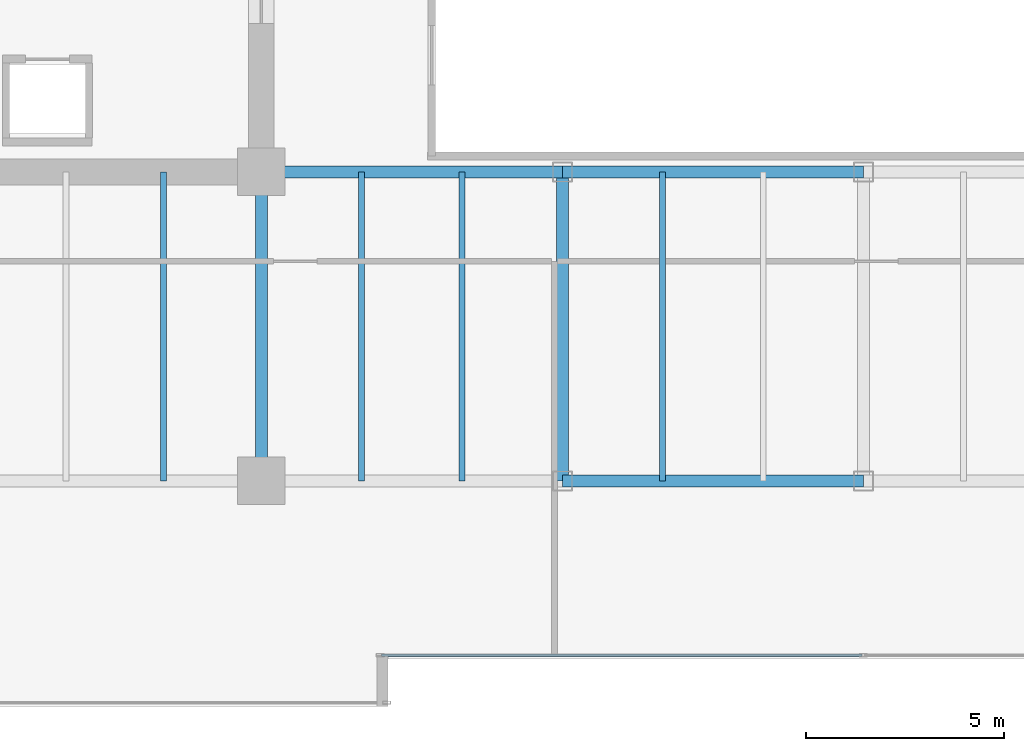
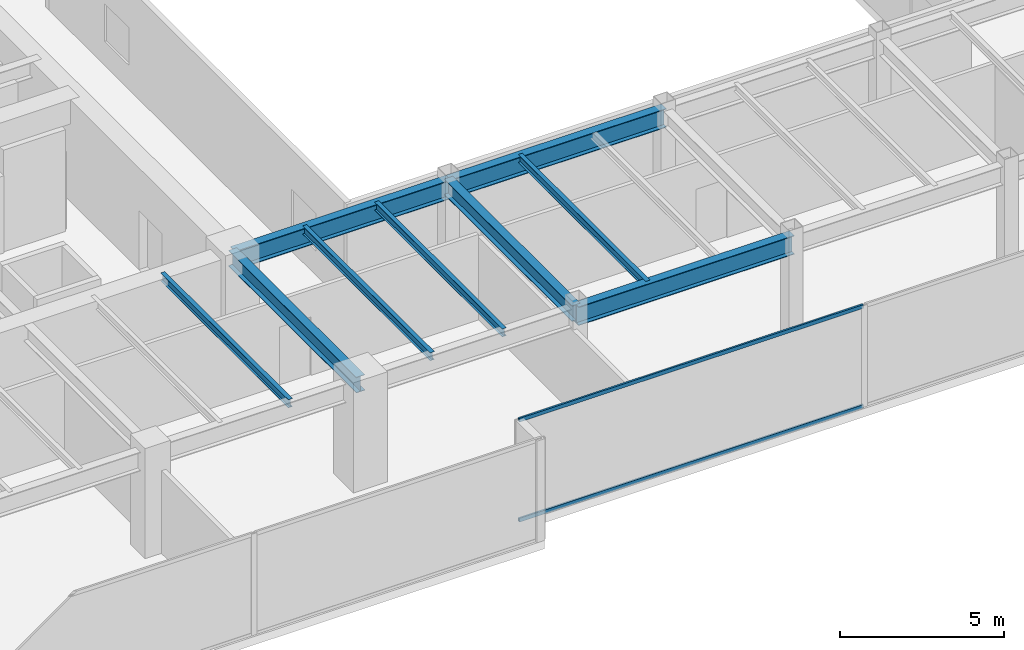
# One storey, part 5 of 31: 9 beams, 2 members, 1 element without a shape of its own.
"""IFC4 building model written with IfcOpenShell, lengths in metres."""

from ifc_helpers import new_model, si_unit, direction, frame, origin, origin_2d, place, context, subcontext, project, spatial, hollow_rectangle, i_section, extrude, source, transform, mapped, material, layer, layer_set, material_profile, profile_set, type_object, type_shapes, element, aggregate, save


model = new_model("IFC4")

# Units and contexts
model_context = context("Model", 3, precision=1e-05, world=origin(), true_north=direction((0.0, 1.0)))
body_context = subcontext(model_context, "Body", "Model", "MODEL_VIEW")
ifc_project = project(units=[si_unit("LENGTHUNIT", "METRE"), si_unit("AREAUNIT", "SQUARE_METRE"), si_unit("VOLUMEUNIT", "CUBIC_METRE"), si_unit("PLANEANGLEUNIT", "RADIAN"), si_unit("MASSUNIT", "GRAM", prefix="KILO")], contexts=[model_context])

# Site, building, storey
site_placement = place(None, origin())
site = spatial("IfcSite", under=ifc_project, at=site_placement, CompositionType="ELEMENT")
building_placement = place(site_placement, origin())
building = spatial("IfcBuilding", under=site, at=building_placement, Name="Haelvirn Gate Laboratories", CompositionType="ELEMENT")
storey_placement = place(building_placement, frame((0.0, 0.0, 150.199951171875)))
storey = spatial("IfcBuildingStorey", under=building, at=storey_placement, Name="L36", CompositionType="ELEMENT", Elevation=150.199951171875)

# Beams
ifc_material_1 = material(Name="Steel SM355", Category="steel")
ifc_material_profile_1 = material_profile(ifc_material_1, i_section(OverallWidth=0.300048828125, OverallDepth=0.699951171875, WebThickness=0.012939453125, FlangeThickness=0.02392578125, at=origin_2d()), Name="H-700x300x13x24")
ifc_profile_set_1 = profile_set([ifc_material_profile_1], Name="Steel SM355")
beam_type_1 = type_object("IfcBeamType", Name="BM-G-700", PredefinedType="BEAM", material=ifc_profile_set_1)
shared_shape_1 = source(origin(), body_context, "Body", "SweptSolid", [
    extrude(i_section(OverallWidth=0.300048828125, OverallDepth=0.699951171875, WebThickness=0.012939453125, FlangeThickness=0.02392578125, at=origin_2d()), origin(), (0.0, 0.0, 1.0), 7.60009765625),
])
beam_placement = place(storey_placement, frame((22.199951171875, 14.800048828125, 3.43994140625), z_axis=(1.0, 0.0, 0.0), x_axis=(0.0, 1.0, 0.0)))
element("IfcBeam", 1, at=beam_placement, inside=storey, type_object=beam_type_1, Name="L36 Primary Girder Y14.8 (22.2-29.8)", PredefinedType="BEAM", context=body_context, shape_type="MappedRepresentation", body=[
    mapped(shared_shape_1, transform((0.0, 0.0, 0.0), scale=1.0)),
])
shared_shape_2 = source(origin(), body_context, "Body", "SweptSolid", [
    extrude(i_section(OverallWidth=0.300048828125, OverallDepth=0.699951171875, WebThickness=0.012939453125, FlangeThickness=0.02392578125, at=origin_2d()), origin(), (0.0, 0.0, 1.0), 7.599853515625),
])
type_shapes(beam_type_1, [shared_shape_1, shared_shape_2])
for number, where, z_axis, x_axis, name in (
    (2, (29.800048828125, 7.0, 3.43994140625), (1.0, 0.0, 0.0), (0.0, 1.0, 0.0), "L36 Primary Girder Y7.0 (29.8-37.4)"),
    (3, (29.800048828125, 14.800048828125, 3.43994140625), (1.0, 0.0, 0.0), (0.0, 1.0, 0.0), "L36 Primary Girder Y14.8 (29.8-37.4)"),
):
    element("IfcBeam", number, at=place(storey_placement, frame(where, z_axis=z_axis, x_axis=x_axis)), inside=storey, type_object=beam_type_1, Name=name, PredefinedType="BEAM", context=body_context, shape_type="MappedRepresentation", body=[
        mapped(shared_shape_2, transform((0.0, 0.0, 0.0), scale=1.0)),
    ])
ifc_material_profile_2 = material_profile(ifc_material_1, i_section(OverallWidth=0.14990234375, OverallDepth=0.300048828125, WebThickness=0.006591796875, FlangeThickness=0.009033203125, at=origin_2d()), Name="H-300x150x6.5x9")
ifc_profile_set_2 = profile_set([ifc_material_profile_2], Name="Steel SM355")
beam_type_2 = type_object("IfcBeamType", Name="BM-J-300", PredefinedType="JOIST", material=ifc_profile_set_2)
shared_shape_3 = source(origin(), body_context, "Body", "SweptSolid", [
    extrude(i_section(OverallWidth=0.14990234375, OverallDepth=0.300048828125, WebThickness=0.006591796875, FlangeThickness=0.009033203125, at=origin_2d()), origin(), (0.0, 0.0, 1.0), 7.800048828125),
])
type_shapes(beam_type_2, [shared_shape_3])
for number, where, z_axis, x_axis, name in (
    (4, (19.72998046875, 7.0, 3.64013671875), (0.0, 1.0, 0.0), (-1.0, 0.0, 0.0), "L36 Composite Lab Joist South X19.73"),
    (5, (24.72998046875, 7.0, 3.64013671875), (0.0, 1.0, 0.0), (-1.0, 0.0, 0.0), "L36 Composite Lab Joist South X24.73"),
    (6, (27.27001953125, 7.0, 3.64013671875), (0.0, 1.0, 0.0), (-1.0, 0.0, 0.0), "L36 Composite Lab Joist South X27.27"),
    (7, (32.330078125, 7.0, 3.64013671875), (0.0, 1.0, 0.0), (-1.0, 0.0, 0.0), "L36 Composite Lab Joist South X32.33"),
):
    element("IfcBeam", number, at=place(storey_placement, frame(where, z_axis=z_axis, x_axis=x_axis)), inside=storey, type_object=beam_type_2, Name=name, PredefinedType="JOIST", context=body_context, shape_type="MappedRepresentation", body=[
        mapped(shared_shape_3, transform((0.0, 0.0, 0.0), scale=1.0)),
    ])
ifc_material_profile_3 = material_profile(ifc_material_1, i_section(OverallWidth=0.300048828125, OverallDepth=0.587890625, WebThickness=0.011962890625, FlangeThickness=0.02001953125, at=origin_2d()), Name="H-588x300x12x20")
ifc_profile_set_3 = profile_set([ifc_material_profile_3], Name="Steel SM355")
beam_type_3 = type_object("IfcBeamType", Name="BM-G-588", PredefinedType="BEAM", material=ifc_profile_set_3)
shared_shape_4 = source(origin(), body_context, "Body", "SweptSolid", [
    extrude(i_section(OverallWidth=0.300048828125, OverallDepth=0.587890625, WebThickness=0.011962890625, FlangeThickness=0.02001953125, at=origin_2d()), origin(), (0.0, 0.0, 1.0), 7.800048828125),
])
type_shapes(beam_type_3, [shared_shape_4])
for number, where, z_axis, x_axis, name in (
    (8, (22.199951171875, 7.0, 3.49609375), (0.0, 1.0, 0.0), (-1.0, 0.0, 0.0), "L36 Frame Girder X22.2 (7.0-14.8)"),
    (9, (29.800048828125, 7.0, 3.49609375), (0.0, 1.0, 0.0), (-1.0, 0.0, 0.0), "L36 Frame Girder X29.8 (7.0-14.8)"),
):
    element("IfcBeam", number, at=place(storey_placement, frame(where, z_axis=z_axis, x_axis=x_axis)), inside=storey, type_object=beam_type_3, Name=name, PredefinedType="BEAM", context=body_context, shape_type="MappedRepresentation", body=[
        mapped(shared_shape_4, transform((0.0, 0.0, 0.0), scale=1.0)),
    ])

# Curtain wall, members
ifc_material_2 = material(Name="Anodised bronze unitised aluminium & triple low-E glass", Category="aluminium")
ifc_layer = layer(ifc_material_2, 0.179931640625, Name="CW-SYS-3")
ifc_layer_set = layer_set([ifc_layer], Name="Anodised bronze unitised aluminium & triple low-E glass")
curtain_wall_type = type_object("IfcCurtainWallType", Name="CW-SYS-3", PredefinedType="NOTDEFINED", material=ifc_layer_set)
curtain_wall_placement = place(storey_placement, origin())
curtain_wall = element("IfcCurtainWall", 10, at=curtain_wall_placement, inside=storey, type_object=curtain_wall_type, Name="L36 Unitised Curtain Wall CW-L36-P0-E02-1", PredefinedType="NOTDEFINED")
ifc_material_3 = material(Name="Extruded aluminium 6063-T6 (anodised bronze)", Category="aluminium")
ifc_material_profile_4 = material_profile(ifc_material_3, hollow_rectangle(XDim=0.06494140625, YDim=0.139892578125, WallThickness=0.00390625, at=origin_2d()), Name="CWT-140x65x4")
ifc_profile_set_4 = profile_set([ifc_material_profile_4], Name="Extruded aluminium 6063-T6 (anodised bronze)")
member_type = type_object("IfcMemberType", Name="CWT-T140", PredefinedType="USERDEFINED", material=ifc_profile_set_4)
shared_shape_5 = source(origin(), body_context, "Body", "SweptSolid", [
    extrude(hollow_rectangle(XDim=0.06494140625, YDim=0.139892578125, WallThickness=0.00390625, at=origin_2d()), origin(), (0.0, 0.0, 1.0), 12.12744140625),
])
type_shapes(member_type, [shared_shape_5])
member_1_placement = place(storey_placement, frame((25.235107421875, 2.60009765625, 0.032470703125), z_axis=(1.0, 0.0, 0.0), x_axis=(0.0, 1.0, 0.0)))
member_1 = element("IfcMember", 11, at=member_1_placement, type_object=member_type, Name="CW3 transom 1.1", ObjectType="TRANSOM", PredefinedType="USERDEFINED", context=body_context, shape_type="MappedRepresentation", body=[
    mapped(shared_shape_5, transform((0.0, 0.0, 0.0), scale=1.0)),
])
member_2_placement = place(storey_placement, frame((25.235107421875, 2.60009765625, 3.757568359375), z_axis=(1.0, 0.0, 0.0), x_axis=(0.0, 1.0, 0.0)))
member_2 = element("IfcMember", 12, at=member_2_placement, type_object=member_type, Name="CW3 transom 1.2", ObjectType="TRANSOM", PredefinedType="USERDEFINED", context=body_context, shape_type="MappedRepresentation", body=[
    mapped(shared_shape_5, transform((0.0, 0.0, 0.0), scale=1.0)),
])
aggregate(curtain_wall, [member_1, member_2])

save(model, "model.ifc")
